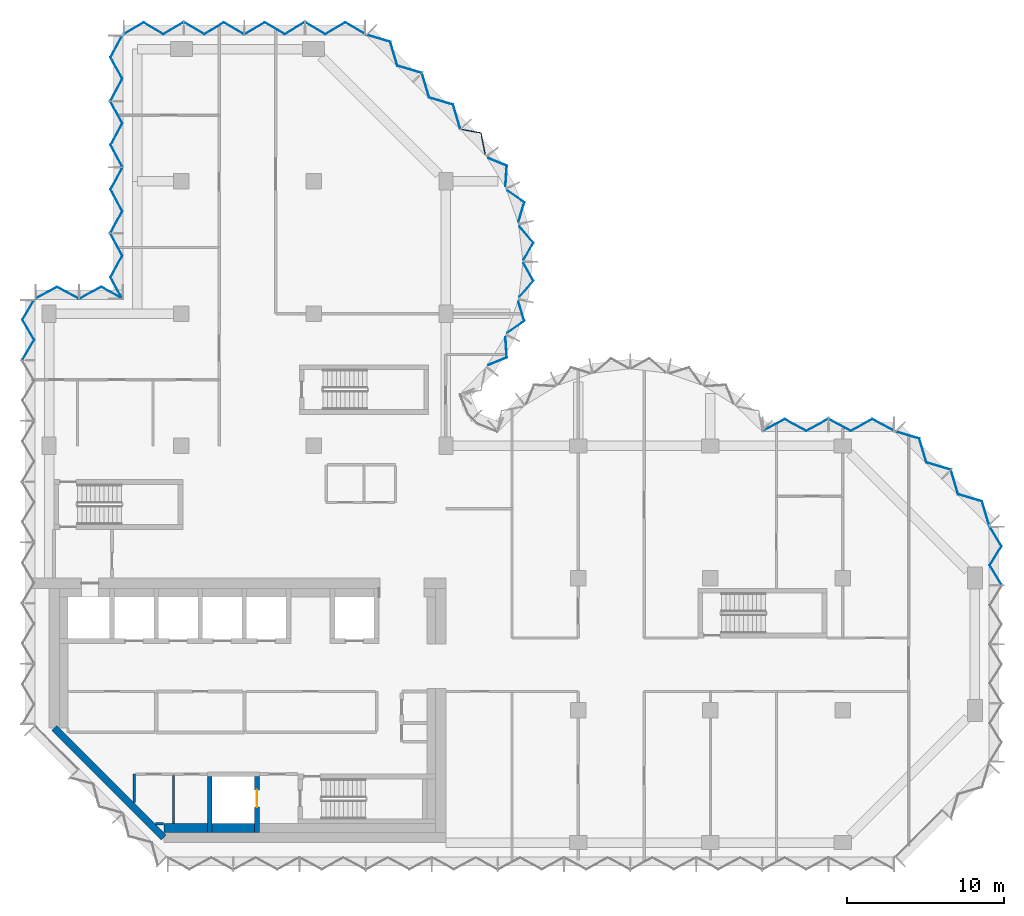
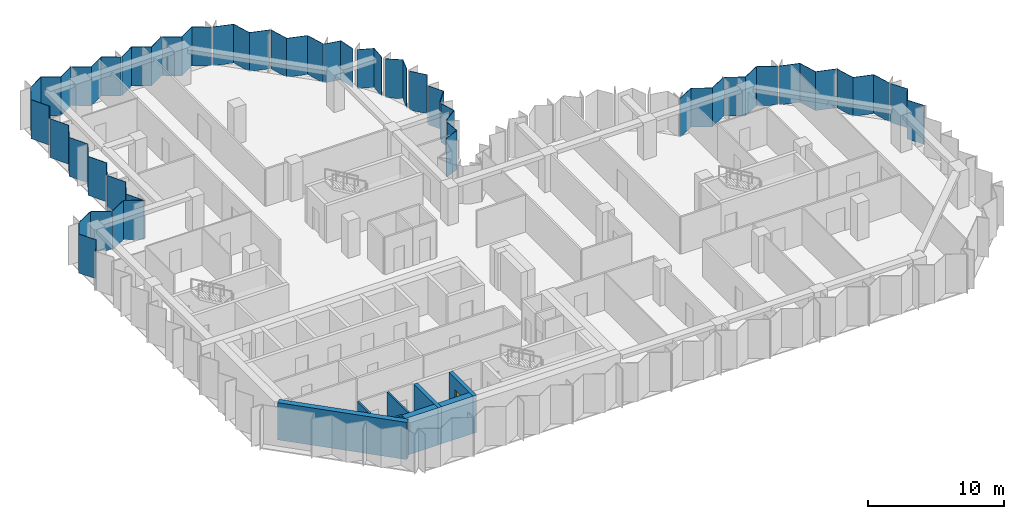
# One storey, part 4 of 10: 25 plates, 8 walls, 1 door, 1 opening, 9 elements without a shape of their own.
"""IFC4 building model written with IfcOpenShell, lengths in metres."""

from ifc_helpers import new_model, si_unit, direction, frame, frame_2d, origin, place, context, subcontext, project, spatial, polyline, rectangle, outline, extrude, material, layer, layer_set, type_object, element, fill, aggregate, save


model = new_model("IFC4")

# Units and contexts
model_context = context("Model", 3, precision=1e-05, world=origin(), true_north=direction((0.0, 1.0)))
body_context = subcontext(model_context, "Body", "Model", "MODEL_VIEW")
ifc_project = project(units=[si_unit("LENGTHUNIT", "METRE"), si_unit("AREAUNIT", "SQUARE_METRE"), si_unit("VOLUMEUNIT", "CUBIC_METRE"), si_unit("PLANEANGLEUNIT", "RADIAN"), si_unit("MASSUNIT", "GRAM", prefix="KILO")], contexts=[model_context])

# Site, building, storey
site_placement = place(None, origin())
site = spatial("IfcSite", under=ifc_project, at=site_placement, CompositionType="ELEMENT")
building_placement = place(site_placement, origin())
building = spatial("IfcBuilding", under=site, at=building_placement, Name="Brevane Broadcast Tower", CompositionType="ELEMENT")
storey_placement = place(building_placement, frame((0.0, 0.0, 174.0)))
storey = spatial("IfcBuildingStorey", under=building, at=storey_placement, Name="L43", CompositionType="ELEMENT", Elevation=174.0)

# Curtain wall, plate
ifc_material_1 = material(Name="Aluminium 6063-T6 bronze anodised", Category="aluminium")
curtain_wall_type = type_object("IfcCurtainWallType", Name="CW-1 curtain wall", PredefinedType="NOTDEFINED", material=ifc_material_1)
curtain_wall_1_placement = place(storey_placement, origin())
curtain_wall_1 = element("IfcCurtainWall", 1, at=curtain_wall_1_placement, inside=storey, type_object=curtain_wall_type, Name="CW-1 typical tilted unit L43 east end", PredefinedType="NOTDEFINED")
ifc_material_2 = material(Name="Laminated glass bronze-tinted", Category="glass")
ifc_layer_1 = layer(ifc_material_2, 0.0400390625)
ifc_layer_set_1 = layer_set([ifc_layer_1], Name="CW tall glass panel 40")
plate_type = type_object("IfcPlateType", Name="CW tall glass panel 40", PredefinedType="CURTAIN_PANEL", material=ifc_layer_set_1)
plate_1_placement = place(storey_placement, frame((0.0, 0.0, -0.14990234375)))
plate_1 = element("IfcPlate", 2, at=plate_1_placement, type_object=plate_type, Name="CW-1 glass panel", PredefinedType="CURTAIN_PANEL", context=body_context, shape_type="SweptSolid", body=[
    extrude(outline(polyline([(60.470947265625, 16.385009765625), (60.517822265625, 16.385009765625), (59.7734375, 17.61181640625), (60.517822265625, 18.83837890625), (59.7734375, 20.06494140625), (59.7265625, 20.06494140625), (60.470947265625, 18.83837890625), (59.7265625, 17.61181640625), (60.470947265625, 16.385009765625)])), origin(), (0.0, 0.0, 1.0), 3.5),
])
aggregate(curtain_wall_1, [plate_1])

# Curtain wall, plates
curtain_wall_2_placement = place(storey_placement, origin())
curtain_wall_2 = element("IfcCurtainWall", 3, at=curtain_wall_2_placement, inside=storey, type_object=curtain_wall_type, Name="CW-1 typical tilted unit L43 north-east chamfer", PredefinedType="NOTDEFINED")
plate_2_placement = place(storey_placement, frame((0.0, 0.0, -0.14990234375)))
plate_2 = element("IfcPlate", 4, at=plate_2_placement, type_object=plate_type, Name="CW-1 glass panel", PredefinedType="CURTAIN_PANEL", context=body_context, shape_type="SweptSolid", body=[
    extrude(outline(polyline([(59.694580078125, 20.14404296875), (59.7265625, 20.176025390625), (59.26953125, 21.68603515625), (57.759521484375, 22.14306640625), (57.302490234375, 23.653076171875), (57.2705078125, 23.620849609375), (57.7275390625, 22.111083984375), (59.2373046875, 21.65380859375), (59.694580078125, 20.14404296875)])), origin(), (0.0, 0.0, 1.0), 3.5),
])
plate_3_placement = place(storey_placement, frame((0.0, 0.0, -0.14990234375)))
plate_3 = element("IfcPlate", 5, at=plate_3_placement, type_object=plate_type, Name="CW-1 glass panel", PredefinedType="CURTAIN_PANEL", context=body_context, shape_type="SweptSolid", body=[
    extrude(outline(polyline([(57.220947265625, 23.67041015625), (57.2529296875, 23.702392578125), (55.7431640625, 24.15966796875), (55.285888671875, 25.66943359375), (53.776123046875, 26.126708984375), (53.744140625, 26.094482421875), (55.25390625, 25.637451171875), (55.711181640625, 24.127685546875), (57.220947265625, 23.67041015625)])), origin(), (0.0, 0.0, 1.0), 3.5),
])
aggregate(curtain_wall_2, [plate_2, plate_3])

curtain_wall_3_placement = place(storey_placement, origin())
curtain_wall_3 = element("IfcCurtainWall", 6, at=curtain_wall_3_placement, inside=storey, type_object=curtain_wall_type, Name="CW-1 typical tilted unit L43 east arm north face", PredefinedType="NOTDEFINED")
plate_4_placement = place(storey_placement, frame((0.0, 0.0, -0.14990234375)))
plate_4 = element("IfcPlate", 7, at=plate_4_placement, type_object=plate_type, Name="CW-1 glass panel", PredefinedType="CURTAIN_PANEL", context=body_context, shape_type="SweptSolid", body=[
    extrude(outline(polyline([(53.6650390625, 26.127197265625), (53.6650390625, 26.172607421875), (52.288330078125, 26.9169921875), (50.91162109375, 26.172607421875), (49.534912109375, 26.9169921875), (49.534912109375, 26.87158203125), (50.91162109375, 26.127197265625), (52.288330078125, 26.87158203125), (53.6650390625, 26.127197265625)])), origin(), (0.0, 0.0, 1.0), 3.5),
])
plate_5_placement = place(storey_placement, frame((0.0, 0.0, -0.14990234375)))
plate_5 = element("IfcPlate", 8, at=plate_5_placement, type_object=plate_type, Name="CW-1 glass panel", PredefinedType="CURTAIN_PANEL", context=body_context, shape_type="SweptSolid", body=[
    extrude(outline(polyline([(49.465087890625, 26.87158203125), (49.465087890625, 26.9169921875), (48.08837890625, 26.172607421875), (46.711669921875, 26.9169921875), (45.3349609375, 26.172607421875), (45.3349609375, 26.127197265625), (46.711669921875, 26.87158203125), (48.08837890625, 26.127197265625), (49.465087890625, 26.87158203125)])), origin(), (0.0, 0.0, 1.0), 3.5),
])
aggregate(curtain_wall_3, [plate_4, plate_5])

curtain_wall_4_placement = place(storey_placement, origin())
curtain_wall_4 = element("IfcCurtainWall", 9, at=curtain_wall_4_placement, inside=storey, type_object=curtain_wall_type, Name="CW-1 typical tilted unit L43 north bow", PredefinedType="NOTDEFINED")
plate_6_placement = place(storey_placement, frame((0.0, 0.0, -0.14990234375)))
plate_6 = element("IfcPlate", 10, at=plate_6_placement, type_object=plate_type, Name="CW-1 glass panel", PredefinedType="CURTAIN_PANEL", context=body_context, shape_type="SweptSolid", body=[
    extrude(outline(polyline([(27.8759765625, 30.343017578125), (27.912109375, 30.314697265625), (29.089111328125, 30.7958984375), (29.006591796875, 32.08935546875), (28.96533203125, 32.10888671875), (29.04736328125, 30.822265625), (27.8759765625, 30.343017578125)])), origin(), (0.0, 0.0, 1.0), 3.5),
])
plate_7_placement = place(storey_placement, frame((0.0, 0.0, -0.14990234375)))
plate_7 = element("IfcPlate", 11, at=plate_7_placement, type_object=plate_type, Name="CW-1 glass panel", PredefinedType="CURTAIN_PANEL", context=body_context, shape_type="SweptSolid", body=[
    extrude(outline(polyline([(29.104248046875, 32.400634765625), (29.1455078125, 32.381103515625), (30.20166015625, 33.132080078125), (29.83349609375, 34.349365234375), (29.78857421875, 34.359619140625), (30.155029296875, 33.148193359375), (29.104248046875, 32.400634765625)])), origin(), (0.0, 0.0, 1.0), 3.5),
])
plate_8_placement = place(storey_placement, frame((0.0, 0.0, -0.14990234375)))
plate_8 = element("IfcPlate", 12, at=plate_8_placement, type_object=plate_type, Name="CW-1 glass panel", PredefinedType="CURTAIN_PANEL", context=body_context, shape_type="SweptSolid", body=[
    extrude(outline(polyline([(29.859619140625, 34.6748046875), (29.903564453125, 34.664794921875), (30.779296875, 35.68310546875), (30.15869140625, 36.7919921875), (30.11279296875, 36.7919921875), (30.730712890625, 35.68798828125), (29.859619140625, 34.6748046875)])), origin(), (0.0, 0.0, 1.0), 3.5),
])
plate_9_placement = place(storey_placement, frame((0.0, 0.0, -0.14990234375)))
plate_9 = element("IfcPlate", 13, at=plate_9_placement, type_object=plate_type, Name="CW-1 glass panel", PredefinedType="CURTAIN_PANEL", context=body_context, shape_type="SweptSolid", body=[
    extrude(outline(polyline([(30.11279296875, 37.008056640625), (30.15869140625, 37.008056640625), (30.779296875, 38.116943359375), (29.903564453125, 39.13525390625), (29.859619140625, 39.125), (30.730712890625, 38.112060546875), (30.11279296875, 37.008056640625)])), origin(), (0.0, 0.0, 1.0), 3.5),
])
plate_10_placement = place(storey_placement, frame((0.0, 0.0, -0.14990234375)))
plate_10 = element("IfcPlate", 14, at=plate_10_placement, type_object=plate_type, Name="CW-1 glass panel", PredefinedType="CURTAIN_PANEL", context=body_context, shape_type="SweptSolid", body=[
    extrude(outline(polyline([(29.78857421875, 39.440185546875), (29.83349609375, 39.45068359375), (30.20166015625, 40.667724609375), (29.1455078125, 41.4189453125), (29.104248046875, 41.3994140625), (30.155029296875, 40.65185546875), (29.78857421875, 39.440185546875)])), origin(), (0.0, 0.0, 1.0), 3.5),
])
plate_11_placement = place(storey_placement, frame((0.0, 0.0, -0.14990234375)))
plate_11 = element("IfcPlate", 15, at=plate_11_placement, type_object=plate_type, Name="CW-1 glass panel", PredefinedType="CURTAIN_PANEL", context=body_context, shape_type="SweptSolid", body=[
    extrude(outline(polyline([(28.96533203125, 41.69091796875), (29.006591796875, 41.710693359375), (29.089111328125, 43.00390625), (27.912109375, 43.4853515625), (27.8759765625, 43.45703125), (29.04736328125, 42.977783203125), (28.96533203125, 41.69091796875)])), origin(), (0.0, 0.0, 1.0), 3.5),
])
plate_12_placement = place(storey_placement, frame((0.0, 0.0, -0.14990234375)))
plate_12 = element("IfcPlate", 16, at=plate_12_placement, type_object=plate_type, Name="CW-1 glass panel", PredefinedType="CURTAIN_PANEL", context=body_context, shape_type="SweptSolid", body=[
    extrude(outline(polyline([(27.67626953125, 43.7109375), (27.71142578125, 43.738525390625), (27.447265625, 45.086181640625), (26.17919921875, 45.327880859375), (26.14404296875, 45.2939453125), (27.4130859375, 45.052001953125), (27.67626953125, 43.7109375)])), origin(), (0.0, 0.0, 1.0), 3.5),
])
aggregate(curtain_wall_4, [plate_6, plate_7, plate_8, plate_9, plate_10, plate_11, plate_12])

curtain_wall_5_placement = place(storey_placement, origin())
curtain_wall_5 = element("IfcCurtainWall", 17, at=curtain_wall_5_placement, inside=storey, type_object=curtain_wall_type, Name="CW-1 typical tilted unit L43 north arm north-east chamfer", PredefinedType="NOTDEFINED")
plate_13_placement = place(storey_placement, frame((0.0, 0.0, -0.14990234375)))
plate_13 = element("IfcPlate", 18, at=plate_13_placement, type_object=plate_type, Name="CW-1 glass panel", PredefinedType="CURTAIN_PANEL", context=body_context, shape_type="SweptSolid", body=[
    extrude(outline(polyline([(26.094482421875, 45.343994140625), (26.126708984375, 45.376220703125), (25.66943359375, 46.885986328125), (24.15966796875, 47.343017578125), (23.702392578125, 48.85302734375), (23.67041015625, 48.82080078125), (24.127685546875, 47.31103515625), (25.637451171875, 46.85400390625), (26.094482421875, 45.343994140625)])), origin(), (0.0, 0.0, 1.0), 3.5),
])
plate_14_placement = place(storey_placement, frame((0.0, 0.0, -0.14990234375)))
plate_14 = element("IfcPlate", 19, at=plate_14_placement, type_object=plate_type, Name="CW-1 glass panel", PredefinedType="CURTAIN_PANEL", context=body_context, shape_type="SweptSolid", body=[
    extrude(outline(polyline([(23.620849609375, 48.870361328125), (23.653076171875, 48.902587890625), (22.14306640625, 49.359619140625), (21.68603515625, 50.869384765625), (20.176025390625, 51.32666015625), (20.14404296875, 51.294677734375), (21.65380859375, 50.83740234375), (22.111083984375, 49.32763671875), (23.620849609375, 48.870361328125)])), origin(), (0.0, 0.0, 1.0), 3.5),
])
aggregate(curtain_wall_5, [plate_13, plate_14])

curtain_wall_6_placement = place(storey_placement, origin())
curtain_wall_6 = element("IfcCurtainWall", 20, at=curtain_wall_6_placement, inside=storey, type_object=curtain_wall_type, Name="CW-1 typical tilted unit L43 north end", PredefinedType="NOTDEFINED")
plate_15_placement = place(storey_placement, frame((0.0, 0.0, -0.14990234375)))
plate_15 = element("IfcPlate", 21, at=plate_15_placement, type_object=plate_type, Name="CW-1 glass panel", PredefinedType="CURTAIN_PANEL", context=body_context, shape_type="SweptSolid", body=[
    extrude(outline(polyline([(20.06494140625, 51.326904296875), (20.06494140625, 51.373291015625), (18.804931640625, 52.11767578125), (17.544921875, 51.373291015625), (16.284912109375, 52.11767578125), (16.284912109375, 52.0712890625), (17.544921875, 51.326904296875), (18.804931640625, 52.0712890625), (20.06494140625, 51.326904296875)])), origin(), (0.0, 0.0, 1.0), 3.5),
])
plate_16_placement = place(storey_placement, frame((0.0, 0.0, -0.14990234375)))
plate_16 = element("IfcPlate", 22, at=plate_16_placement, type_object=plate_type, Name="CW-1 glass panel", PredefinedType="CURTAIN_PANEL", context=body_context, shape_type="SweptSolid", body=[
    extrude(outline(polyline([(16.215087890625, 52.0712890625), (16.215087890625, 52.11767578125), (14.955078125, 51.373291015625), (13.695068359375, 52.11767578125), (12.43505859375, 51.373291015625), (12.43505859375, 51.326904296875), (13.695068359375, 52.0712890625), (14.955078125, 51.326904296875), (16.215087890625, 52.0712890625)])), origin(), (0.0, 0.0, 1.0), 3.5),
])
plate_17_placement = place(storey_placement, frame((0.0, 0.0, -0.14990234375)))
plate_17 = element("IfcPlate", 23, at=plate_17_placement, type_object=plate_type, Name="CW-1 glass panel", PredefinedType="CURTAIN_PANEL", context=body_context, shape_type="SweptSolid", body=[
    extrude(outline(polyline([(12.364990234375, 51.326904296875), (12.364990234375, 51.373291015625), (11.10498046875, 52.11767578125), (9.844970703125, 51.373291015625), (8.5849609375, 52.11767578125), (8.5849609375, 52.0712890625), (9.844970703125, 51.326904296875), (11.10498046875, 52.0712890625), (12.364990234375, 51.326904296875)])), origin(), (0.0, 0.0, 1.0), 3.5),
])
plate_18_placement = place(storey_placement, frame((0.0, 0.0, -0.14990234375)))
plate_18 = element("IfcPlate", 24, at=plate_18_placement, type_object=plate_type, Name="CW-1 glass panel", PredefinedType="CURTAIN_PANEL", context=body_context, shape_type="SweptSolid", body=[
    extrude(outline(polyline([(8.514892578125, 52.0712890625), (8.514892578125, 52.11767578125), (7.2548828125, 51.373291015625), (5.9951171875, 52.11767578125), (4.735107421875, 51.373291015625), (4.735107421875, 51.326904296875), (5.9951171875, 52.0712890625), (7.2548828125, 51.326904296875), (8.514892578125, 52.0712890625)])), origin(), (0.0, 0.0, 1.0), 3.5),
])
aggregate(curtain_wall_6, [plate_15, plate_16, plate_17, plate_18])

curtain_wall_7_placement = place(storey_placement, origin())
curtain_wall_7 = element("IfcCurtainWall", 25, at=curtain_wall_7_placement, inside=storey, type_object=curtain_wall_type, Name="CW-1 typical tilted unit L43 north wing west face, lower block", PredefinedType="NOTDEFINED")
plate_19_placement = place(storey_placement, frame((0.0, 0.0, -0.14990234375)))
plate_19 = element("IfcPlate", 26, at=plate_19_placement, type_object=plate_type, Name="CW-1 glass panel", PredefinedType="CURTAIN_PANEL", context=body_context, shape_type="SweptSolid", body=[
    extrude(outline(polyline([(4.672607421875, 51.264892578125), (4.627197265625, 51.264892578125), (3.8828125, 49.88818359375), (4.627197265625, 48.51171875), (3.8828125, 47.135009765625), (3.92822265625, 47.135009765625), (4.672607421875, 48.51171875), (3.92822265625, 49.88818359375), (4.672607421875, 51.264892578125)])), origin(), (0.0, 0.0, 1.0), 3.5),
])
plate_20_placement = place(storey_placement, frame((0.0, 0.0, -0.14990234375)))
plate_20 = element("IfcPlate", 27, at=plate_20_placement, type_object=plate_type, Name="CW-1 glass panel", PredefinedType="CURTAIN_PANEL", context=body_context, shape_type="SweptSolid", body=[
    extrude(outline(polyline([(3.92822265625, 47.06494140625), (3.8828125, 47.06494140625), (4.627197265625, 45.688232421875), (3.8828125, 44.311767578125), (4.627197265625, 42.93505859375), (4.672607421875, 42.93505859375), (3.92822265625, 44.311767578125), (4.672607421875, 45.688232421875), (3.92822265625, 47.06494140625)])), origin(), (0.0, 0.0, 1.0), 3.5),
])
plate_21_placement = place(storey_placement, frame((0.0, 0.0, -0.14990234375)))
plate_21 = element("IfcPlate", 28, at=plate_21_placement, type_object=plate_type, Name="CW-1 glass panel", PredefinedType="CURTAIN_PANEL", context=body_context, shape_type="SweptSolid", body=[
    extrude(outline(polyline([(4.672607421875, 42.864990234375), (4.627197265625, 42.864990234375), (3.8828125, 41.48828125), (4.627197265625, 40.11181640625), (3.8828125, 38.735107421875), (3.92822265625, 38.735107421875), (4.672607421875, 40.11181640625), (3.92822265625, 41.48828125), (4.672607421875, 42.864990234375)])), origin(), (0.0, 0.0, 1.0), 3.5),
])
plate_22_placement = place(storey_placement, frame((0.0, 0.0, -0.14990234375)))
plate_22 = element("IfcPlate", 29, at=plate_22_placement, type_object=plate_type, Name="CW-1 glass panel", PredefinedType="CURTAIN_PANEL", context=body_context, shape_type="SweptSolid", body=[
    extrude(outline(polyline([(3.92822265625, 38.6650390625), (3.8828125, 38.6650390625), (4.627197265625, 37.288330078125), (3.8828125, 35.91162109375), (4.627197265625, 34.534912109375), (4.672607421875, 34.534912109375), (3.92822265625, 35.91162109375), (4.672607421875, 37.288330078125), (3.92822265625, 38.6650390625)])), origin(), (0.0, 0.0, 1.0), 3.5),
])
aggregate(curtain_wall_7, [plate_19, plate_20, plate_21, plate_22])

curtain_wall_8_placement = place(storey_placement, origin())
curtain_wall_8 = element("IfcCurtainWall", 30, at=curtain_wall_8_placement, inside=storey, type_object=curtain_wall_type, Name="CW-1 typical tilted unit L43 north wing west return, lower block", PredefinedType="NOTDEFINED")
plate_23_placement = place(storey_placement, frame((0.0, 0.0, -0.14990234375)))
plate_23 = element("IfcPlate", 31, at=plate_23_placement, type_object=plate_type, Name="CW-1 glass panel", PredefinedType="CURTAIN_PANEL", context=body_context, shape_type="SweptSolid", body=[
    extrude(outline(polyline([(4.6650390625, 34.527099609375), (4.6650390625, 34.57275390625), (3.300048828125, 35.317138671875), (1.93505859375, 34.57275390625), (1.93505859375, 34.527099609375), (3.300048828125, 35.271484375), (4.6650390625, 34.527099609375)])), origin(), (0.0, 0.0, 1.0), 3.5),
])
plate_24_placement = place(storey_placement, frame((0.0, 0.0, -0.14990234375)))
plate_24 = element("IfcPlate", 32, at=plate_24_placement, type_object=plate_type, Name="CW-1 glass panel", PredefinedType="CURTAIN_PANEL", context=body_context, shape_type="SweptSolid", body=[
    extrude(outline(polyline([(1.864990234375, 34.527099609375), (1.864990234375, 34.57275390625), (0.5, 35.317138671875), (-0.864990234375, 34.57275390625), (-0.864990234375, 34.527099609375), (0.5, 35.271484375), (1.864990234375, 34.527099609375)])), origin(), (0.0, 0.0, 1.0), 3.5),
])
aggregate(curtain_wall_8, [plate_23, plate_24])

# Curtain wall, plate
curtain_wall_9_placement = place(storey_placement, origin())
curtain_wall_9 = element("IfcCurtainWall", 33, at=curtain_wall_9_placement, inside=storey, type_object=curtain_wall_type, Name="CW-1 typical tilted unit L43 west face", PredefinedType="NOTDEFINED")
plate_25_placement = place(storey_placement, frame((0.0, 0.0, -0.14990234375)))
plate_25 = element("IfcPlate", 34, at=plate_25_placement, type_object=plate_type, Name="CW-1 glass panel", PredefinedType="CURTAIN_PANEL", context=body_context, shape_type="SweptSolid", body=[
    extrude(outline(polyline([(-0.9267578125, 34.465087890625), (-0.97314453125, 34.465087890625), (-1.717529296875, 33.20263671875), (-0.97314453125, 31.940185546875), (-1.717529296875, 30.677978515625), (-1.671142578125, 30.677978515625), (-0.9267578125, 31.940185546875), (-1.671142578125, 33.20263671875), (-0.9267578125, 34.465087890625)])), origin(), (0.0, 0.0, 1.0), 3.5),
])
aggregate(curtain_wall_9, [plate_25])

# Walls
ifc_material_3 = material(Name="Concrete C32/40", Category="concrete")
ifc_layer_2 = layer(ifc_material_3, 0.550048828125)
ifc_layer_set_2 = layer_set([ifc_layer_2], Name="Core chase wall 550 mm")
wall_type_1 = type_object("IfcWallType", Name="Core chase wall 550 mm", PredefinedType="PARTITIONING", material=ifc_layer_set_2)
wall_1_placement = place(storey_placement, frame((7.286376953125, 0.925048828125, 0.0), z_axis=(0.0, 0.0, 1.0), x_axis=(1.0, 0.0, 0.0)))
element("IfcWall", 35, at=wall_1_placement, inside=storey, type_object=wall_type_1, Name="L43 chase wall LS-1", PredefinedType="PARTITIONING", context=body_context, shape_type="SweptSolid", body=[
    extrude(rectangle(XDim=2.763671875, YDim=0.550048828125, at=frame_2d((1.3818359375, 0.0))), origin(), (0.0, 0.0, 1.0), 3.35009765625),
])
wall_2_placement = place(storey_placement, frame((10.35009765625, 0.925048828125, 0.0), z_axis=(0.0, 0.0, 1.0), x_axis=(1.0, 0.0, 0.0)))
element("IfcWall", 36, at=wall_2_placement, inside=storey, type_object=wall_type_1, Name="L43 chase wall LS-2-1", PredefinedType="PARTITIONING", context=body_context, shape_type="SweptSolid", body=[
    extrude(rectangle(XDim=2.699951171875, YDim=0.550048828125, at=frame_2d((1.35009765625, 0.0))), origin(), (0.0, 0.0, 1.0), 3.35009765625),
])
ifc_material_4 = material(Name="Gypsum board on steel studs", Category="steel")
ifc_layer_3 = layer(ifc_material_4, 0.14990234375)
ifc_layer_set_3 = layer_set([ifc_layer_3], Name="Core fire partition 150 mm")
wall_type_2 = type_object("IfcWallType", Name="Core fire partition 150 mm", PredefinedType="PARTITIONING", material=ifc_layer_set_3)
wall_3_placement = place(storey_placement, frame((5.39990234375, 2.553466796875, 0.0), z_axis=(0.0, 0.0, 1.0), x_axis=(0.0, 1.0, 0.0)))
element("IfcWall", 37, at=wall_3_placement, inside=storey, type_object=wall_type_2, Name="L43 partition wall P11", PredefinedType="PARTITIONING", context=body_context, shape_type="SweptSolid", body=[
    extrude(rectangle(XDim=1.796630859375, YDim=0.14990234375, at=frame_2d((0.8984375, 0.0))), origin(), (0.0, 0.0, 1.0), 3.35009765625),
])
wall_4_placement = place(storey_placement, frame((7.89990234375, 4.27490234375, 0.0), z_axis=(0.0, 0.0, 1.0), x_axis=(0.0, -1.0, 0.0)))
element("IfcWall", 38, at=wall_4_placement, inside=storey, type_object=wall_type_2, Name="L43 partition wall P13", PredefinedType="PARTITIONING", context=body_context, shape_type="SweptSolid", body=[
    extrude(rectangle(XDim=3.06298828125, YDim=0.14990234375, at=frame_2d((1.531494140625, 0.0))), origin(), (0.0, 0.0, 1.0), 3.35009765625),
])
wall_5_placement = place(storey_placement, frame((7.2744140625, 1.199951171875, 0.0), z_axis=(0.0, 0.0, 1.0), x_axis=(-1.0, 0.0, 0.0)))
element("IfcWall", 39, at=wall_5_placement, inside=storey, type_object=wall_type_2, Name="L43 partition wall P14", PredefinedType="PARTITIONING", context=body_context, shape_type="SweptSolid", body=[
    extrude(rectangle(XDim=0.52099609375, YDim=0.14990234375, at=frame_2d((0.260498046875, 0.0))), origin(), (0.0, 0.0, 1.0), 3.35009765625),
])
ifc_material_5 = material(Name="Concrete C60/75", Category="concrete")
ifc_layer_4 = layer(ifc_material_5, 0.300048828125)
ifc_layer_set_4 = layer_set([ifc_layer_4], Name="Core wall 300 mm C60/75")
wall_type_3 = type_object("IfcWallType", Name="Core wall 300 mm C60/75", PredefinedType="SHEAR", material=ifc_layer_set_4)
wall_6_placement = place(storey_placement, frame((10.199951171875, 0.64990234375, 0.0), z_axis=(0.0, 0.0, 1.0), x_axis=(0.0, 1.0, 0.0)))
element("IfcWall", 40, at=wall_6_placement, inside=storey, type_object=wall_type_3, Name="L43 shaft wall FF2-W", PredefinedType="SHEAR", context=body_context, shape_type="SweptSolid", body=[
    extrude(rectangle(XDim=3.550048828125, YDim=0.300048828125, at=frame_2d((1.77490234375, 0.0))), origin(), (0.0, 0.0, 1.0), 3.35009765625),
])

# Wall, opening, door
wall_7_placement = place(storey_placement, frame((13.199951171875, 0.64990234375, 0.0), z_axis=(0.0, 0.0, 1.0), x_axis=(0.0, 1.0, 0.0)))
wall_7 = element("IfcWall", 41, at=wall_7_placement, inside=storey, type_object=wall_type_3, Name="L43 shaft wall FF2-E", PredefinedType="SHEAR", context=body_context, shape_type="SweptSolid", body=[
    extrude(rectangle(XDim=3.550048828125, YDim=0.300048828125, at=frame_2d((1.77490234375, 0.0))), origin(), (0.0, 0.0, 1.0), 3.35009765625),
])
opening_placement = place(wall_7_placement, frame((1.60009765625, 0.0, 0.0)))
opening = element("IfcOpeningElement", 42, at=opening_placement, cuts=wall_7, Name="Opening LD", PredefinedType="OPENING", context=body_context, shape_type="SweptSolid", body=[
    extrude(rectangle(XDim=1.10009765625, YDim=2.300048828125, at=frame_2d((0.550048828125, 1.14990234375))), frame((0.0, 0.159912109375, 0.0), z_axis=(0.0, -1.0, 0.0), x_axis=(1.0, 0.0, 0.0)), (0.0, 0.0, 1.0), 0.320068359375),
])
ifc_material_6 = material(Name="Stainless steel", Category="steel")
door_type = type_object("IfcDoorType", Name="Lift landing door", OperationType="SLIDING_TO_LEFT", PredefinedType="DOOR", material=ifc_material_6)
door_placement = place(opening_placement, origin())
door = element("IfcDoor", 43, at=door_placement, inside=storey, type_object=door_type, Name="Landing door FF2 L43", OperationType="SLIDING_TO_LEFT", OverallHeight=2.300048828125, OverallWidth=1.10009765625, PredefinedType="DOOR", context=body_context, shape_type="SweptSolid", body=[
    extrude(rectangle(XDim=1.10009765625, YDim=2.300048828125, at=frame_2d((0.550048828125, 1.14990234375))), frame((0.0, 0.02490234375, 0.0), z_axis=(0.0, -1.0, 0.0), x_axis=(1.0, 0.0, 0.0)), (0.0, 0.0, 1.0), 0.050048828125),
])
fill(opening, door)

# Wall
ifc_layer_5 = layer(ifc_material_5, 0.449951171875)
ifc_layer_set_5 = layer_set([ifc_layer_5], Name="Core wall 450 mm C60/75")
wall_type_4 = type_object("IfcWallType", Name="Core wall 450 mm C60/75", PredefinedType="SHEAR", material=ifc_layer_set_5)
wall_8_placement = place(storey_placement, frame((0.324951171875, 7.293212890625, 0.0), z_axis=(0.0, 0.0, 1.0), x_axis=(0.707106781187, -0.707106781187, 0.0)))
element("IfcWall", 44, at=wall_8_placement, inside=storey, type_object=wall_type_4, Name="L43 outer wall WC", PredefinedType="SHEAR", context=body_context, shape_type="SweptSolid", body=[
    extrude(rectangle(XDim=9.8544921875, YDim=0.449951171875, at=frame_2d((4.92724609375, 0.0))), origin(), (0.0, 0.0, 1.0), 3.35009765625),
])

save(model, "model.ifc")
